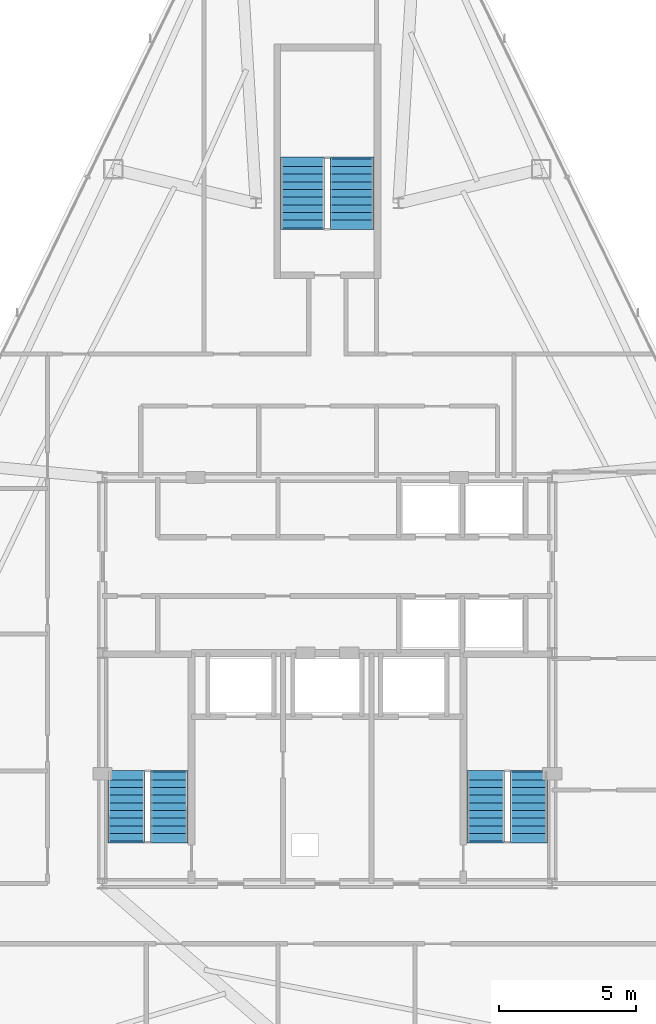
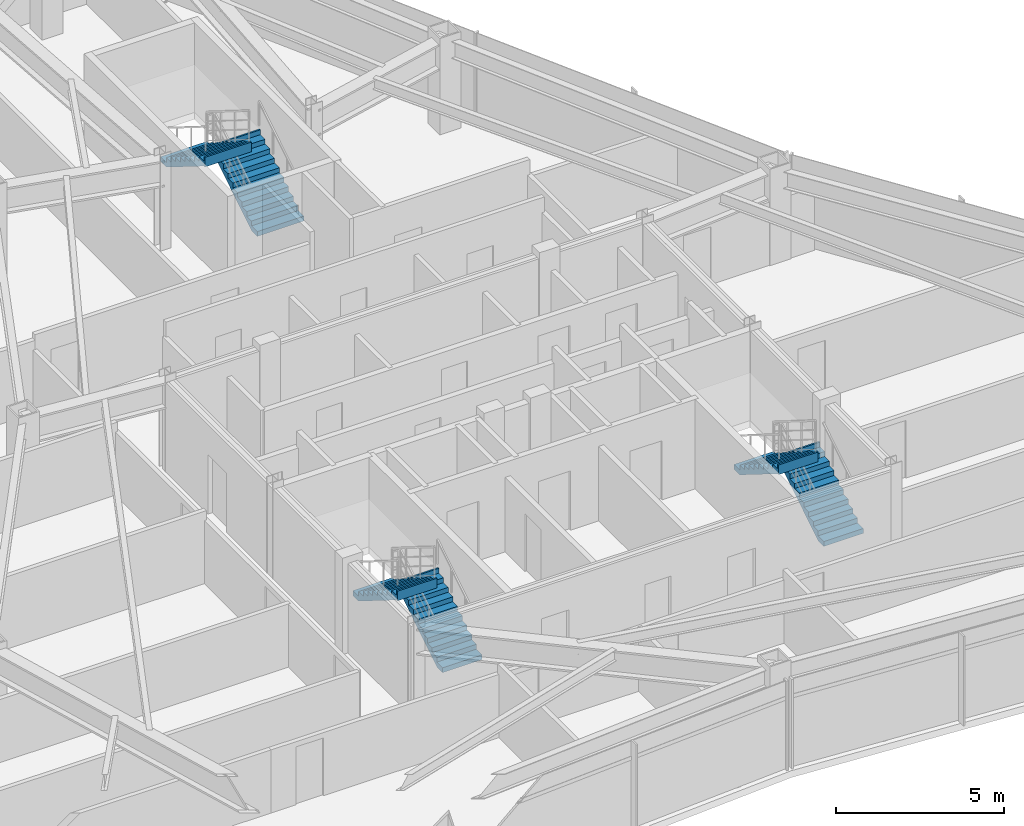
# One storey, part 11 of 12: 6 stair flights, 3 elements without a shape of their own.
"""IFC4 building model written with IfcOpenShell, lengths in metres."""

from ifc_helpers import new_model, si_unit, direction, frame, origin, place, context, subcontext, project, spatial, polyline, outline, extrude, material, type_object, element, aggregate, save


model = new_model("IFC4")

# Units and contexts
model_context = context("Model", 3, precision=1e-05, world=origin(), true_north=direction((0.0, 1.0)))
body_context = subcontext(model_context, "Body", "Model", "MODEL_VIEW")
ifc_project = project(units=[si_unit("LENGTHUNIT", "METRE"), si_unit("AREAUNIT", "SQUARE_METRE"), si_unit("VOLUMEUNIT", "CUBIC_METRE"), si_unit("PLANEANGLEUNIT", "RADIAN"), si_unit("MASSUNIT", "GRAM", prefix="KILO")], contexts=[model_context])

# Site, building, storey
site_placement = place(None, origin())
site = spatial("IfcSite", under=ifc_project, at=site_placement, CompositionType="ELEMENT")
building_placement = place(site_placement, origin())
building = spatial("IfcBuilding", under=site, at=building_placement, Name="Varakhsha Concourse Tower", CompositionType="ELEMENT")
storey_placement = place(building_placement, frame((0.0, 0.0, 204.89990234375)))
storey = spatial("IfcBuildingStorey", under=building, at=storey_placement, Name="L58", CompositionType="ELEMENT", Elevation=204.89990234375)

# Stair, stair flights
ifc_material = material(Name="Concrete fc 45 MPa", Category="concrete")
stair_type_1 = type_object("IfcStairType", Name="ST-DOGLEG-1360", PredefinedType="HALF_TURN_STAIR", material=ifc_material)
stair_1_placement = place(storey_placement, origin())
stair_1 = element("IfcStair", 1, at=stair_1_placement, inside=storey, type_object=stair_type_1, Name="L58 Protected Exit Stair ST1", PredefinedType="HALF_TURN_STAIR")
stair_flight_type_1 = type_object("IfcStairFlightType", Name="STF-1360-R1750", PredefinedType="STRAIGHT", material=ifc_material)
stair_flight_1_placement = place(storey_placement, frame((34.239990234375, 17.93994140625, 0.0), z_axis=(0.0, 0.0, 1.0), x_axis=(0.0, 1.0, 0.0)))
stair_flight_1 = element("IfcStairFlight", 2, at=stair_flight_1_placement, type_object=stair_flight_type_1, Name="ST1 flight 1", NumberOfRisers=10, NumberOfTreads=9, PredefinedType="STRAIGHT", RiserHeight=0.175, TreadLength=0.28, context=body_context, shape_type="SweptSolid", body=[
    extrude(outline(polyline([(-0.06005859375, 0.0), (-0.06005859375, 0.175048828125), (0.0, 0.175048828125), (0.280029296875, 0.175048828125), (0.280029296875, 0.35009765625), (0.56005859375, 0.35009765625), (0.56005859375, 0.52490234375), (0.840087890625, 0.52490234375), (0.840087890625, 0.699951171875), (1.1201171875, 0.699951171875), (1.1201171875, 0.875), (1.39990234375, 0.875), (1.39990234375, 1.050048828125), (1.679931640625, 1.050048828125), (1.679931640625, 1.22509765625), (1.9599609375, 1.22509765625), (1.9599609375, 1.39990234375), (2.239990234375, 1.39990234375), (2.239990234375, 1.574951171875), (2.52001953125, 1.574951171875), (2.52001953125, 1.75), (2.580078125, 1.75), (2.580078125, 1.398193359375), (2.52001953125, 1.398193359375), (0.28271484375, 0.0), (-0.06005859375, 0.0)])), frame((0.0, 0.68017578125, 0.0), z_axis=(0.0, -1.0, 0.0), x_axis=(1.0, 0.0, 0.0)), (0.0, 0.0, 1.0), 1.360107421875),
])
stair_flight_2_placement = place(storey_placement, frame((32.679931640625, 20.4599609375, 1.75), z_axis=(0.0, 0.0, 1.0), x_axis=(0.0, -1.0, 0.0)))
stair_flight_2 = element("IfcStairFlight", 3, at=stair_flight_2_placement, type_object=stair_flight_type_1, Name="ST1 flight 2", NumberOfRisers=10, NumberOfTreads=9, PredefinedType="STRAIGHT", RiserHeight=0.175, TreadLength=0.28, context=body_context, shape_type="SweptSolid", body=[
    extrude(outline(polyline([(-0.06005859375, 0.0), (-0.06005859375, 0.175048828125), (0.0, 0.175048828125), (0.280029296875, 0.175048828125), (0.280029296875, 0.35009765625), (0.56005859375, 0.35009765625), (0.56005859375, 0.52490234375), (0.840087890625, 0.52490234375), (0.840087890625, 0.699951171875), (1.1201171875, 0.699951171875), (1.1201171875, 0.875), (1.39990234375, 0.875), (1.39990234375, 1.050048828125), (1.679931640625, 1.050048828125), (1.679931640625, 1.22509765625), (1.9599609375, 1.22509765625), (1.9599609375, 1.39990234375), (2.239990234375, 1.39990234375), (2.239990234375, 1.574951171875), (2.52001953125, 1.574951171875), (2.52001953125, 1.75), (2.580078125, 1.75), (2.580078125, 1.398193359375), (2.52001953125, 1.398193359375), (0.28271484375, 0.0), (-0.06005859375, 0.0)])), frame((0.0, 0.68017578125, 0.0), z_axis=(0.0, -1.0, 0.0), x_axis=(1.0, 0.0, 0.0)), (0.0, 0.0, 1.0), 1.360107421875),
])
aggregate(stair_1, [stair_flight_1, stair_flight_2])

stair_2_placement = place(storey_placement, origin())
stair_2 = element("IfcStair", 4, at=stair_2_placement, inside=storey, type_object=stair_type_1, Name="L58 Protected Exit Stair ST2", PredefinedType="HALF_TURN_STAIR")
stair_flight_3_placement = place(storey_placement, frame((47.340087890625, 17.93994140625, 0.0), z_axis=(0.0, 0.0, 1.0), x_axis=(0.0, 1.0, 0.0)))
stair_flight_3 = element("IfcStairFlight", 5, at=stair_flight_3_placement, type_object=stair_flight_type_1, Name="ST2 flight 1", NumberOfRisers=10, NumberOfTreads=9, PredefinedType="STRAIGHT", RiserHeight=0.175, TreadLength=0.28, context=body_context, shape_type="SweptSolid", body=[
    extrude(outline(polyline([(-0.06005859375, 0.0), (-0.06005859375, 0.175048828125), (0.0, 0.175048828125), (0.280029296875, 0.175048828125), (0.280029296875, 0.35009765625), (0.56005859375, 0.35009765625), (0.56005859375, 0.52490234375), (0.840087890625, 0.52490234375), (0.840087890625, 0.699951171875), (1.1201171875, 0.699951171875), (1.1201171875, 0.875), (1.39990234375, 0.875), (1.39990234375, 1.050048828125), (1.679931640625, 1.050048828125), (1.679931640625, 1.22509765625), (1.9599609375, 1.22509765625), (1.9599609375, 1.39990234375), (2.239990234375, 1.39990234375), (2.239990234375, 1.574951171875), (2.52001953125, 1.574951171875), (2.52001953125, 1.75), (2.580078125, 1.75), (2.580078125, 1.398193359375), (2.52001953125, 1.398193359375), (0.28271484375, 0.0), (-0.06005859375, 0.0)])), frame((0.0, 0.68017578125, 0.0), z_axis=(0.0, -1.0, 0.0), x_axis=(1.0, 0.0, 0.0)), (0.0, 0.0, 1.0), 1.360107421875),
])
stair_flight_4_placement = place(storey_placement, frame((45.780029296875, 20.4599609375, 1.75), z_axis=(0.0, 0.0, 1.0), x_axis=(0.0, -1.0, 0.0)))
stair_flight_4 = element("IfcStairFlight", 6, at=stair_flight_4_placement, type_object=stair_flight_type_1, Name="ST2 flight 2", NumberOfRisers=10, NumberOfTreads=9, PredefinedType="STRAIGHT", RiserHeight=0.175, TreadLength=0.28, context=body_context, shape_type="SweptSolid", body=[
    extrude(outline(polyline([(-0.06005859375, 0.0), (-0.06005859375, 0.175048828125), (0.0, 0.175048828125), (0.280029296875, 0.175048828125), (0.280029296875, 0.35009765625), (0.56005859375, 0.35009765625), (0.56005859375, 0.52490234375), (0.840087890625, 0.52490234375), (0.840087890625, 0.699951171875), (1.1201171875, 0.699951171875), (1.1201171875, 0.875), (1.39990234375, 0.875), (1.39990234375, 1.050048828125), (1.679931640625, 1.050048828125), (1.679931640625, 1.22509765625), (1.9599609375, 1.22509765625), (1.9599609375, 1.39990234375), (2.239990234375, 1.39990234375), (2.239990234375, 1.574951171875), (2.52001953125, 1.574951171875), (2.52001953125, 1.75), (2.580078125, 1.75), (2.580078125, 1.398193359375), (2.52001953125, 1.398193359375), (0.28271484375, 0.0), (-0.06005859375, 0.0)])), frame((0.0, 0.68017578125, 0.0), z_axis=(0.0, -1.0, 0.0), x_axis=(1.0, 0.0, 0.0)), (0.0, 0.0, 1.0), 1.360107421875),
])
aggregate(stair_2, [stair_flight_3, stair_flight_4])

stair_type_2 = type_object("IfcStairType", Name="ST-DOGLEG-1600", PredefinedType="HALF_TURN_STAIR", material=ifc_material)
stair_3_placement = place(storey_placement, origin())
stair_3 = element("IfcStair", 7, at=stair_3_placement, inside=storey, type_object=stair_type_2, Name="L58 Protected Exit Stair ST5", PredefinedType="HALF_TURN_STAIR")
stair_flight_type_2 = type_object("IfcStairFlightType", Name="STF-1600-R1750", PredefinedType="STRAIGHT", material=ifc_material)
stair_flight_5_placement = place(storey_placement, frame((40.89990234375, 40.300048828125, 0.0), z_axis=(0.0, 0.0, 1.0), x_axis=(0.0, 1.0, 0.0)))
stair_flight_5 = element("IfcStairFlight", 8, at=stair_flight_5_placement, type_object=stair_flight_type_2, Name="ST5 flight 1", NumberOfRisers=10, NumberOfTreads=9, PredefinedType="STRAIGHT", RiserHeight=0.175, TreadLength=0.28, context=body_context, shape_type="SweptSolid", body=[
    extrude(outline(polyline([(-0.06005859375, 0.0), (-0.06005859375, 0.175048828125), (0.0, 0.175048828125), (0.280029296875, 0.175048828125), (0.280029296875, 0.35009765625), (0.56005859375, 0.35009765625), (0.56005859375, 0.52490234375), (0.840087890625, 0.52490234375), (0.840087890625, 0.699951171875), (1.1201171875, 0.699951171875), (1.1201171875, 0.875), (1.39990234375, 0.875), (1.39990234375, 1.050048828125), (1.679931640625, 1.050048828125), (1.679931640625, 1.22509765625), (1.9599609375, 1.22509765625), (1.9599609375, 1.39990234375), (2.239990234375, 1.39990234375), (2.239990234375, 1.574951171875), (2.52001953125, 1.574951171875), (2.52001953125, 1.75), (2.580078125, 1.75), (2.580078125, 1.398193359375), (2.52001953125, 1.398193359375), (0.28271484375, 0.0), (-0.06005859375, 0.0)])), frame((0.0, 0.800048828125, 0.0), z_axis=(0.0, -1.0, 0.0), x_axis=(1.0, 0.0, 0.0)), (0.0, 0.0, 1.0), 1.60009765625),
])
stair_flight_6_placement = place(storey_placement, frame((39.10009765625, 42.820068359375, 1.75), z_axis=(0.0, 0.0, 1.0), x_axis=(0.0, -1.0, 0.0)))
stair_flight_6 = element("IfcStairFlight", 9, at=stair_flight_6_placement, type_object=stair_flight_type_2, Name="ST5 flight 2", NumberOfRisers=10, NumberOfTreads=9, PredefinedType="STRAIGHT", RiserHeight=0.175, TreadLength=0.28, context=body_context, shape_type="SweptSolid", body=[
    extrude(outline(polyline([(-0.06005859375, 0.0), (-0.06005859375, 0.175048828125), (0.0, 0.175048828125), (0.280029296875, 0.175048828125), (0.280029296875, 0.35009765625), (0.56005859375, 0.35009765625), (0.56005859375, 0.52490234375), (0.840087890625, 0.52490234375), (0.840087890625, 0.699951171875), (1.1201171875, 0.699951171875), (1.1201171875, 0.875), (1.39990234375, 0.875), (1.39990234375, 1.050048828125), (1.679931640625, 1.050048828125), (1.679931640625, 1.22509765625), (1.9599609375, 1.22509765625), (1.9599609375, 1.39990234375), (2.239990234375, 1.39990234375), (2.239990234375, 1.574951171875), (2.52001953125, 1.574951171875), (2.52001953125, 1.75), (2.580078125, 1.75), (2.580078125, 1.398193359375), (2.52001953125, 1.398193359375), (0.28271484375, 0.0), (-0.06005859375, 0.0)])), frame((0.0, 0.800048828125, 0.0), z_axis=(0.0, -1.0, 0.0), x_axis=(1.0, 0.0, 0.0)), (0.0, 0.0, 1.0), 1.60009765625),
])
aggregate(stair_3, [stair_flight_5, stair_flight_6])

save(model, "model.ifc")
